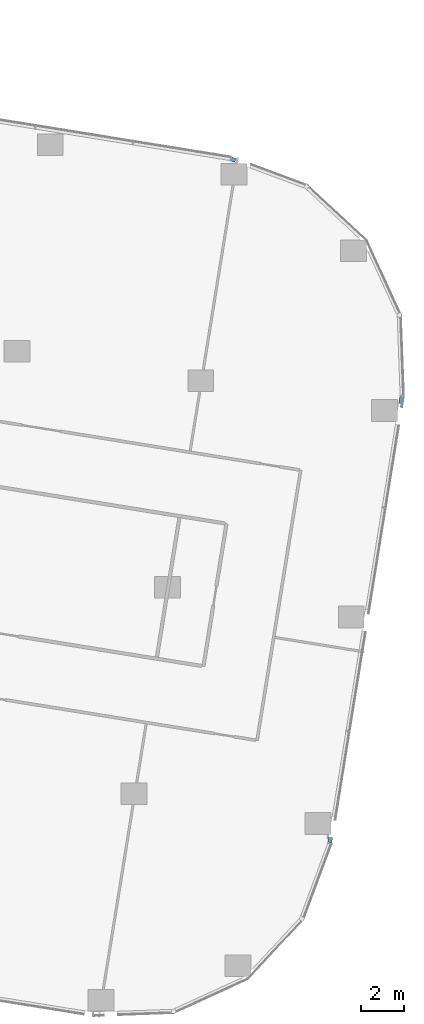
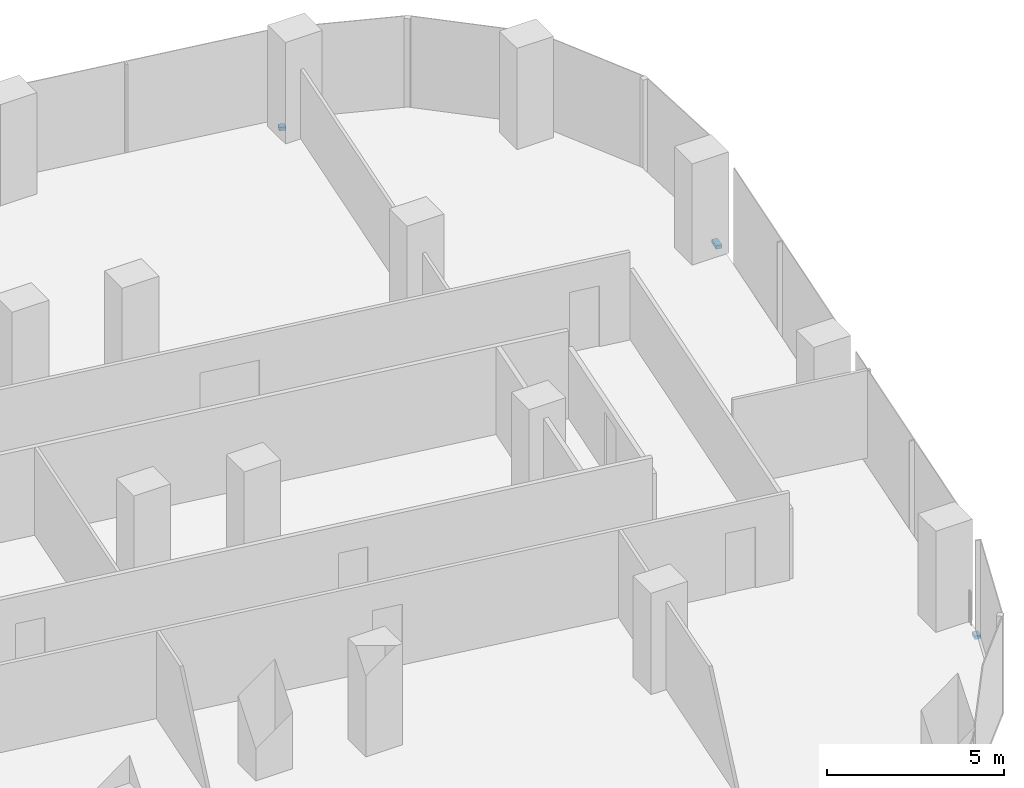
# One storey, part 17 of 34: 3 members, 2 elements without a shape of their own.
"""IFC4 building model written with IfcOpenShell, lengths in metres."""

from ifc_helpers import new_model, si_unit, direction, frame, origin, origin_2d, place, context, subcontext, project, spatial, rectangle, extrude, material, material_profile, profile_set, type_object, element, aggregate, save


model = new_model("IFC4")

# Units and contexts
model_context = context("Model", 3, precision=1e-05, world=origin(), true_north=direction((0.0, 1.0)))
body_context = subcontext(model_context, "Body", "Model", "MODEL_VIEW")
ifc_project = project(units=[si_unit("LENGTHUNIT", "METRE"), si_unit("AREAUNIT", "SQUARE_METRE"), si_unit("VOLUMEUNIT", "CUBIC_METRE"), si_unit("PLANEANGLEUNIT", "RADIAN"), si_unit("MASSUNIT", "GRAM", prefix="KILO")], contexts=[model_context])

# Site, building, storey
site_placement = place(None, origin())
site = spatial("IfcSite", under=ifc_project, at=site_placement, CompositionType="ELEMENT")
building_placement = place(site_placement, origin())
building = spatial("IfcBuilding", under=site, at=building_placement, Name="Orlundy Tower", CompositionType="ELEMENT")
storey_placement = place(building_placement, frame((0.0, 0.0, 134.199951171875)))
storey = spatial("IfcBuildingStorey", under=building, at=storey_placement, Name="L34", CompositionType="ELEMENT", Elevation=134.199951171875)

# Curtain wall, member
ifc_material_1 = material(Name="Aluminium bronze anodised", Category="aluminium")
curtain_wall_type = type_object("IfcCurtainWallType", Name="CW1 wall", PredefinedType="NOTDEFINED", material=ifc_material_1)
curtain_wall_1_placement = place(storey_placement, origin())
curtain_wall_1 = element("IfcCurtainWall", 1, at=curtain_wall_1_placement, inside=storey, type_object=curtain_wall_type, Name="CW1 run 07", PredefinedType="NOTDEFINED")
ifc_material_2 = material(Name="Aluminium bronze anodised", Category="aluminium")
ifc_material_profile = material_profile(ifc_material_2, rectangle(XDim=0.179931640625, YDim=0.1201171875, at=origin_2d()), Name="CW1 transom 180x120")
ifc_profile_set = profile_set([ifc_material_profile], Name="Aluminium bronze anodised")
member_type = type_object("IfcMemberType", Name="CW1 transom 180x120", PredefinedType="USERDEFINED", material=ifc_profile_set)
member_1_placement = place(storey_placement, frame((52.5947265625, 11.857666015625, -0.33984375), z_axis=(0.937154813765, -0.348913821792, 0.0), x_axis=(0.348913821792, 0.937154813765, 0.0)))
member_1 = element("IfcMember", 2, at=member_1_placement, type_object=member_type, Name="CW1 transom", ObjectType="TRANSOM", PredefinedType="USERDEFINED", context=body_context, shape_type="SweptSolid", body=[
    extrude(rectangle(XDim=0.179931640625, YDim=0.1201171875, at=origin_2d()), origin(), (0.0, 0.0, 1.0), 0.19384765625),
])
aggregate(curtain_wall_1, [member_1])

# Curtain wall, members
curtain_wall_2_placement = place(storey_placement, origin())
curtain_wall_2 = element("IfcCurtainWall", 3, at=curtain_wall_2_placement, inside=storey, type_object=curtain_wall_type, Name="CW1 run 011", PredefinedType="NOTDEFINED")
member_2_placement = place(storey_placement, frame((60.499267578125, 0.856689453125, -0.33984375), z_axis=(-0.15901506716, -0.987276156106, 0.0), x_axis=(0.987276156106, -0.15901506716, 0.0)))
member_2 = element("IfcMember", 4, at=member_2_placement, type_object=member_type, Name="CW1 transom", ObjectType="TRANSOM", PredefinedType="USERDEFINED", context=body_context, shape_type="SweptSolid", body=[
    extrude(rectangle(XDim=0.179931640625, YDim=0.1201171875, at=origin_2d()), origin(), (0.0, 0.0, 1.0), 0.35302734375),
])
member_3_placement = place(storey_placement, frame((57.1962890625, -19.60888671875, -0.33984375), z_axis=(-0.159394093986, -0.98721503372, 0.0), x_axis=(0.98721503372, -0.159394093986, 0.0)))
member_3 = element("IfcMember", 5, at=member_3_placement, type_object=member_type, Name="CW1 transom", ObjectType="TRANSOM", PredefinedType="USERDEFINED", context=body_context, shape_type="SweptSolid", body=[
    extrude(rectangle(XDim=0.179931640625, YDim=0.1201171875, at=origin_2d()), origin(), (0.0, 0.0, 1.0), 0.2373046875),
])
aggregate(curtain_wall_2, [member_2, member_3])

save(model, "model.ifc")
